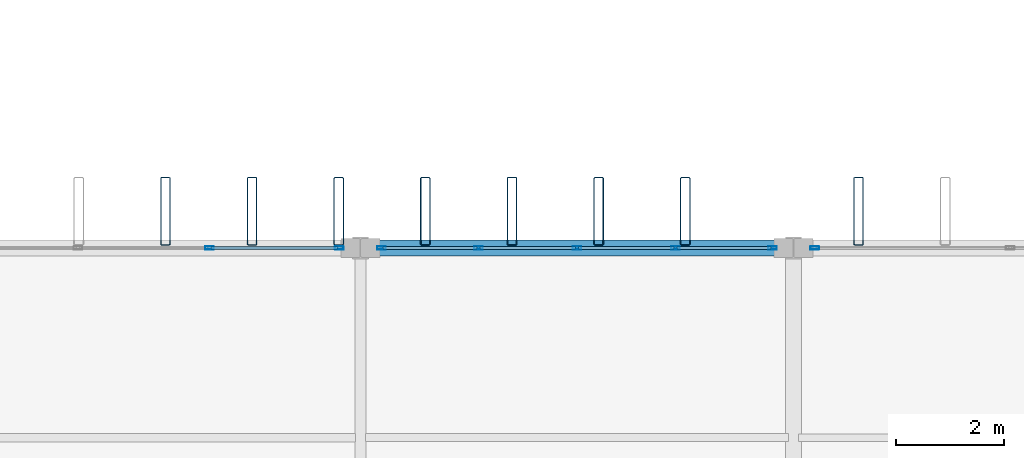
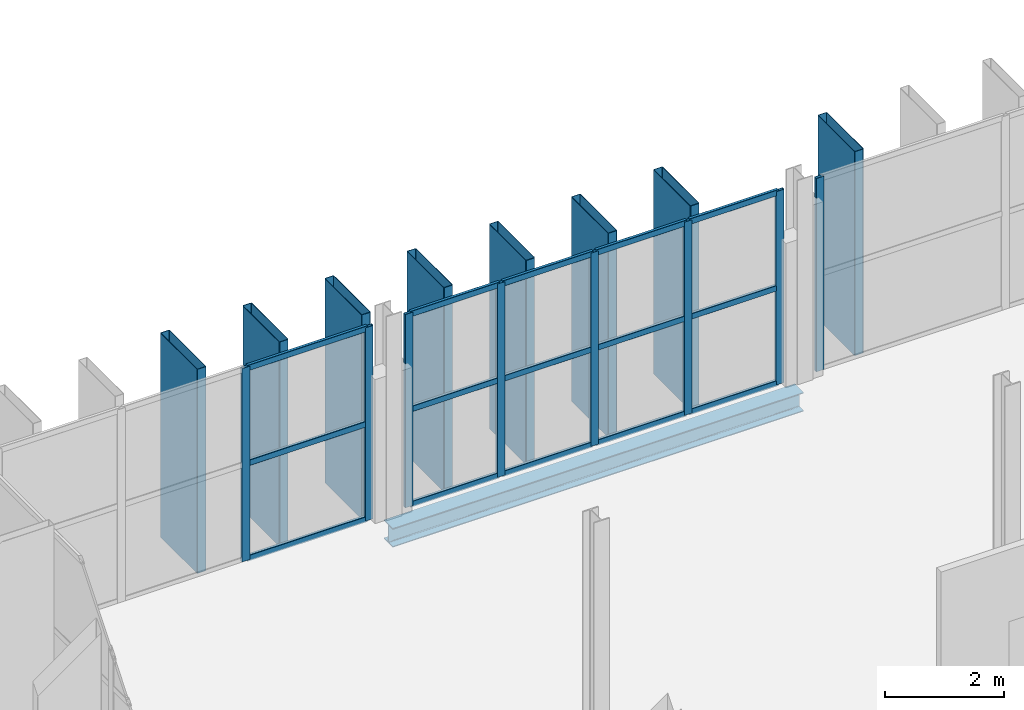
# One storey, part 41 of 101: 31 members, 1 beam, 3 elements without a shape of their own.
"""IFC4 building model written with IfcOpenShell, lengths in metres."""

import ifcopenshell
import ifcopenshell.guid

model = None  # the IFC model being written
_history = None  # IfcOwnerHistory: only IFC2X3 demands one
_inside = {}  # id of a spatial element -> (the spatial element, [elements in it])
_under = {}  # id of a project, library or spatial element -> (it, [spatial elements below it])
_declared = {}  # id of a project -> (the project, [libraries it declares])
_typed = {}  # id of a type object -> (the type object, [elements of that type])
_made_of = {}  # id of a material, layer set ... -> (it, [elements and type objects made of it])


def new_model(schema):
    """Start an empty IFC model of exactly this schema.

    Asked for "IFC4X3", IfcOpenShell would pick the latest addendum, in which some entities
    have other attributes; the version numbers below select the first issue.
    IFC2X3 requires an IfcOwnerHistory on every rooted entity: one is made here for all.
    """
    global model, _history
    if schema == "IFC4X3":
        model = ifcopenshell.file(schema_version=(4, 3, 0, 0))
    else:
        model = ifcopenshell.file(schema=schema)
    _inside.clear()
    _under.clear()
    _declared.clear()
    _typed.clear()
    _made_of.clear()
    _history = None
    if model.schema == "IFC2X3":
        org = make("IfcOrganization", Name="unknown")
        user = make(
            "IfcPersonAndOrganization",
            ThePerson=make("IfcPerson", FamilyName="unknown"),
            TheOrganization=org,
        )
        app = make(
            "IfcApplication",
            ApplicationDeveloper=org,
            Version="unknown",
            ApplicationFullName="unknown",
            ApplicationIdentifier="unknown",
        )
        _history = make(
            "IfcOwnerHistory",
            OwningUser=user,
            OwningApplication=app,
            ChangeAction="ADDED",
            CreationDate=0,
        )
    return model


def make(cls, **values):
    """One entity of the class cls with the attributes given. An attribute that is None is left unset."""
    return model.create_entity(
        cls, **{name: value for name, value in values.items() if value is not None}
    )


def rooted(cls, **values):
    """An entity with a GlobalId (a new one), such as an element, a storey or a relation."""
    return make(cls, GlobalId=ifcopenshell.guid.new(), OwnerHistory=_history, **values)


def si_unit(unit_type, name, prefix=None):
    """IfcSIUnit, for example si_unit("LENGTHUNIT", "METRE", prefix="MILLI")."""
    return make("IfcSIUnit", UnitType=unit_type, Prefix=prefix, Name=name)


def assignment(units):
    """IfcUnitAssignment: the units of a project."""
    return None if units is None else make("IfcUnitAssignment", Units=units)


def point(xyz):
    """IfcCartesianPoint."""
    return None if xyz is None else make("IfcCartesianPoint", Coordinates=xyz)


def direction(xyz):
    """IfcDirection."""
    return None if xyz is None else make("IfcDirection", DirectionRatios=xyz)


def frame(location, z_axis=None, x_axis=None):
    """IfcAxis2Placement3D, a coordinate frame: its origin and axes. An axis left out is left unset."""
    return make(
        "IfcAxis2Placement3D",
        Location=point(location),
        Axis=direction(z_axis),
        RefDirection=direction(x_axis),
    )


def frame_2d(location, x_axis=None):
    """IfcAxis2Placement2D, a coordinate frame in the plane: its origin and x axis."""
    return make(
        "IfcAxis2Placement2D", Location=point(location), RefDirection=direction(x_axis)
    )


def origin():
    """The frame at (0, 0, 0) with its axes left unset."""
    return frame((0.0, 0.0, 0.0))


def origin_2d():
    """The frame at (0, 0) in the plane with its x axis left unset."""
    return frame_2d((0.0, 0.0))


def place(relative_to, where):
    """IfcLocalPlacement: puts the frame where relative to a parent placement (None: the world)."""
    return make(
        "IfcLocalPlacement", PlacementRelTo=relative_to, RelativePlacement=where
    )


def context(
    kind, dimensions, precision=None, world=None, true_north=None, identifier=None
):
    """IfcGeometricRepresentationContext, for example the 3D "Model" context."""
    return make(
        "IfcGeometricRepresentationContext",
        ContextIdentifier=identifier,
        ContextType=kind,
        CoordinateSpaceDimension=dimensions,
        Precision=precision,
        WorldCoordinateSystem=world,
        TrueNorth=true_north,
    )


def subcontext(parent, identifier, kind, view, scale=None):
    """IfcGeometricRepresentationSubContext, for example "Body" below "Model"."""
    return make(
        "IfcGeometricRepresentationSubContext",
        ContextIdentifier=identifier,
        ContextType=kind,
        ParentContext=parent,
        TargetScale=scale,
        TargetView=view,
    )


def project(units=None, contexts=None):
    """IfcProject with its units and contexts."""
    return rooted(
        "IfcProject",
        Name="project",
        RepresentationContexts=contexts,
        UnitsInContext=assignment(units),
    )


def spatial(cls, under=None, at=None, **own):
    """A site, building, storey or space (cls), placed at a placement, below another one or the project."""
    s = rooted(cls, ObjectPlacement=at, **own)
    if under is not None:
        _under.setdefault(under.id(), (under, []))[1].append(s)
    return s


def profile(cls, at=None, kind="AREA", **sizes):
    """A parametric profile (cls). Its sizes go by their IFC names, for example OverallWidth=200.0."""
    return make(cls, ProfileType=kind, Position=at, **sizes)


def hollow_rectangle(**sizes):
    """IfcRectangleHollowProfileDef."""
    return profile("IfcRectangleHollowProfileDef", **sizes)


def i_section(**sizes):
    """IfcIShapeProfileDef."""
    return profile("IfcIShapeProfileDef", **sizes)


def extrude(swept, where, along, depth):
    """IfcExtrudedAreaSolid: the profile swept, set in the frame where, extruded along a direction by depth."""
    return make(
        "IfcExtrudedAreaSolid",
        SweptArea=swept,
        Position=where,
        ExtrudedDirection=direction(along),
        Depth=depth,
    )


def shape(context_of_items, identifier, shape_type, items):
    """IfcShapeRepresentation: the items that make up one representation, for example the "Body"."""
    return make(
        "IfcShapeRepresentation",
        ContextOfItems=context_of_items,
        RepresentationIdentifier=identifier,
        RepresentationType=shape_type,
        Items=items,
    )


def material(Name=None, Category=None):
    """IfcMaterial."""
    return make("IfcMaterial", Name=Name, Category=Category)


def layer(
    of_material, thickness, ventilated=None, Name=None, Category=None, Priority=None
):
    """IfcMaterialLayer: one layer of a wall or slab, of a material (None: an air gap)."""
    return make(
        "IfcMaterialLayer",
        Material=of_material,
        LayerThickness=thickness,
        IsVentilated=ventilated,
        Name=Name,
        Category=Category,
        Priority=Priority,
    )


def layer_set(layers, Name=None):
    """IfcMaterialLayerSet."""
    return make("IfcMaterialLayerSet", MaterialLayers=layers, LayerSetName=Name)


def material_profile(
    of_material, cross_section, Name=None, Category=None, Priority=None
):
    """IfcMaterialProfile: a cross section and its material."""
    return make(
        "IfcMaterialProfile",
        Name=Name,
        Material=of_material,
        Profile=cross_section,
        Priority=Priority,
        Category=Category,
    )


def profile_set(profiles, Name=None, composite=None):
    """IfcMaterialProfileSet."""
    return make(
        "IfcMaterialProfileSet",
        Name=Name,
        MaterialProfiles=profiles,
        CompositeProfile=composite,
    )


def made_of(thing, what):
    """Note that an element or type object is made of a material, layer set ...; save() writes the relation."""
    if what is not None:
        _made_of.setdefault(what.id(), (what, []))[1].append(thing)
    return thing


def type_object(cls, material=None, **own):
    """A type object (cls), such as IfcWallType, which elements share."""
    return made_of(rooted(cls, **own), material)


def element(
    cls,
    number,
    at=None,
    inside=None,
    cuts=None,
    type_object=None,
    material=None,
    context=None,
    identifier="Body",
    shape_type=None,
    held_by="IfcProductDefinitionShape",
    body=None,
    shapes=None,
    **own,
):
    """One element of the class cls, such as IfcWall. Its Tag is "e" and its number.

    at: its placement. inside: the storey or other place that contains it. cuts: it is an
    opening in that element (IfcRelVoidsElement). A single representation is given by context,
    identifier, shape_type and body (its items); several are given by shapes. held_by: the class
    of the entity that holds the representations. save() writes the other relations.
    """
    e = rooted(cls, Tag="e%d" % number, ObjectPlacement=at, **own)
    if body is not None:
        shapes = [shape(context, identifier, shape_type, body)]
    if shapes is not None:
        e.Representation = make(held_by, Representations=shapes)
    if inside is not None:
        _inside.setdefault(inside.id(), (inside, []))[1].append(e)
    if cuts is not None:
        rooted(
            "IfcRelVoidsElement", RelatingBuildingElement=cuts, RelatedOpeningElement=e
        )
    if type_object is not None:
        _typed.setdefault(type_object.id(), (type_object, []))[1].append(e)
    return made_of(e, material)


def aggregate(whole, parts):
    """IfcRelAggregates: a whole, such as a stair, and the parts it consists of."""
    return rooted("IfcRelAggregates", RelatingObject=whole, RelatedObjects=parts)


def save(model, path):
    """Write the relations noted so far, then the file.

    IfcRelAggregates (storeys below a building ...), IfcRelContainedInSpatialStructure (elements
    in a storey), IfcRelDefinesByType, IfcRelAssociatesMaterial and IfcRelDeclares: one each for
    every whole, place, type object, material and project.
    """
    for whole, parts in _under.values():
        aggregate(whole, parts)
    for where, things in _inside.values():
        rooted(
            "IfcRelContainedInSpatialStructure",
            RelatedElements=things,
            RelatingStructure=where,
        )
    for kind, things in _typed.values():
        rooted("IfcRelDefinesByType", RelatedObjects=things, RelatingType=kind)
    for what, things in _made_of.values():
        rooted("IfcRelAssociatesMaterial", RelatedObjects=things, RelatingMaterial=what)
    for by, libraries in _declared.values():
        rooted("IfcRelDeclares", RelatingContext=by, RelatedDefinitions=libraries)
    model.write(path)


model = new_model("IFC4")

# Units and contexts
model_context = context("Model", 3, precision=1e-05, world=origin(), true_north=direction((0.0, 1.0)))
body_context = subcontext(model_context, "Body", "Model", "MODEL_VIEW")
ifc_project = project(units=[si_unit("LENGTHUNIT", "METRE"), si_unit("AREAUNIT", "SQUARE_METRE"), si_unit("VOLUMEUNIT", "CUBIC_METRE"), si_unit("PLANEANGLEUNIT", "RADIAN"), si_unit("MASSUNIT", "GRAM", prefix="KILO")], contexts=[model_context])

# Site, building, storey
site_placement = place(None, origin())
site = spatial("IfcSite", under=ifc_project, at=site_placement, CompositionType="ELEMENT")
building_placement = place(site_placement, origin())
building = spatial("IfcBuilding", under=site, at=building_placement, Name="Vekula Escarpment Museum", CompositionType="ELEMENT")
storey_placement = place(building_placement, frame((0.0, 0.0, 18.0)))
storey = spatial("IfcBuildingStorey", under=building, at=storey_placement, Name="L04", CompositionType="ELEMENT", Elevation=18.0)

# Beam
ifc_material_1 = material(Name="Steel S355", Category="steel")
ifc_material_profile_1 = material_profile(ifc_material_1, i_section(OverallWidth=0.300048828125, OverallDepth=0.389892578125, WebThickness=0.010986328125, FlangeThickness=0.01904296875, FilletRadius=0.027099609375, at=origin_2d()), Name="HEA 400")
ifc_profile_set_1 = profile_set([ifc_material_profile_1], Name="Steel S355")
beam_type = type_object("IfcBeamType", Name="BM-SPAN-HEA400", PredefinedType="SPANDREL", material=ifc_profile_set_1)
beam_placement = place(storey_placement, frame((78.0, 90.39990234375, -0.43505859375), z_axis=(1.0, 0.0, 0.0), x_axis=(0.0, 1.0, 0.0)))
element("IfcBeam", 1, at=beam_placement, inside=storey, type_object=beam_type, Name="Beam X L04 1783", PredefinedType="SPANDREL", context=body_context, shape_type="SweptSolid", body=[
    extrude(i_section(OverallWidth=0.300048828125, OverallDepth=0.389892578125, WebThickness=0.010986328125, FlangeThickness=0.01904296875, FilletRadius=0.027099609375, at=origin_2d()), origin(), (0.0, 0.0, 1.0), 8.0),
])

# Curtain wall, member
ifc_material_2 = material(Name="Aluminium thermally broken framing", Category="aluminium")
ifc_layer_1 = layer(ifc_material_2, 0.179931640625)
ifc_layer_set_1 = layer_set([ifc_layer_1], Name="Aluminium thermally broken framing")
curtain_wall_type_1 = type_object("IfcCurtainWallType", Name="CW-SYS-08", PredefinedType="NOTDEFINED", material=ifc_layer_set_1)
curtain_wall_1_placement = place(storey_placement, origin())
curtain_wall_1 = element("IfcCurtainWall", 2, at=curtain_wall_1_placement, inside=storey, type_object=curtain_wall_type_1, Name="Curtain Wall CW-L04-158", PredefinedType="NOTDEFINED")
ifc_material_3 = material(Name="Aluminium anodized mullion", Category="aluminium")
ifc_material_profile_2 = material_profile(ifc_material_3, hollow_rectangle(XDim=0.06005859375, YDim=0.159912109375, WallThickness=0.00390625, InnerFilletRadius=0.00390625, OuterFilletRadius=0.008056640625, at=origin_2d()), Name="ALU 160x60x4")
ifc_profile_set_2 = profile_set([ifc_material_profile_2], Name="Aluminium anodized mullion")
member_type_1 = type_object("IfcMemberType", Name="CW-MUL-160", PredefinedType="MULLION", material=ifc_profile_set_2)
member_1_placement = place(storey_placement, frame((86.389892578125, 90.39990234375, 0.0), z_axis=(0.0, 0.0, 1.0), x_axis=(0.0, -1.0, 0.0)))
member_1 = element("IfcMember", 3, at=member_1_placement, type_object=member_type_1, Name="CW-08 mullion 3", PredefinedType="MULLION", context=body_context, shape_type="SweptSolid", body=[
    extrude(hollow_rectangle(XDim=0.06005859375, YDim=0.159912109375, WallThickness=0.00390625, InnerFilletRadius=0.00390625, OuterFilletRadius=0.008056640625, at=origin_2d()), origin(), (0.0, 0.0, 1.0), 3.97998046875),
])
aggregate(curtain_wall_1, [member_1])

# Curtain wall, members
ifc_material_4 = material(Name="Aluminium thermally broken framing", Category="aluminium")
ifc_layer_2 = layer(ifc_material_4, 0.14990234375)
ifc_layer_set_2 = layer_set([ifc_layer_2], Name="Aluminium thermally broken framing")
curtain_wall_type_2 = type_object("IfcCurtainWallType", Name="CW-SYS-09", PredefinedType="NOTDEFINED", material=ifc_layer_set_2)
curtain_wall_2_placement = place(storey_placement, origin())
curtain_wall_2 = element("IfcCurtainWall", 4, at=curtain_wall_2_placement, inside=storey, type_object=curtain_wall_type_2, Name="Curtain Wall CW-L04-159", PredefinedType="NOTDEFINED")
member_2_placement = place(storey_placement, frame((85.610107421875, 90.39990234375, 0.0), z_axis=(0.0, 0.0, 1.0), x_axis=(0.0, -1.0, 0.0)))
member_2 = element("IfcMember", 5, at=member_2_placement, type_object=member_type_1, Name="CW-09 mullion 1", PredefinedType="MULLION", context=body_context, shape_type="SweptSolid", body=[
    extrude(hollow_rectangle(XDim=0.06005859375, YDim=0.159912109375, WallThickness=0.00390625, InnerFilletRadius=0.00390625, OuterFilletRadius=0.008056640625, at=origin_2d()), origin(), (0.0, 0.0, 1.0), 3.97998046875),
])
member_3_placement = place(storey_placement, frame((83.820068359375, 90.39990234375, 0.0), z_axis=(0.0, 0.0, 1.0), x_axis=(0.0, -1.0, 0.0)))
member_3 = element("IfcMember", 6, at=member_3_placement, type_object=member_type_1, Name="CW-09 mullion 2", PredefinedType="MULLION", context=body_context, shape_type="SweptSolid", body=[
    extrude(hollow_rectangle(XDim=0.06005859375, YDim=0.159912109375, WallThickness=0.00390625, InnerFilletRadius=0.00390625, OuterFilletRadius=0.008056640625, at=origin_2d()), origin(), (0.0, 0.0, 1.0), 3.97998046875),
])
member_4_placement = place(storey_placement, frame((82.0, 90.39990234375, 0.0), z_axis=(0.0, 0.0, 1.0), x_axis=(0.0, -1.0, 0.0)))
member_4 = element("IfcMember", 7, at=member_4_placement, type_object=member_type_1, Name="CW-09 mullion 3", PredefinedType="MULLION", context=body_context, shape_type="SweptSolid", body=[
    extrude(hollow_rectangle(XDim=0.06005859375, YDim=0.159912109375, WallThickness=0.00390625, InnerFilletRadius=0.00390625, OuterFilletRadius=0.008056640625, at=origin_2d()), origin(), (0.0, 0.0, 1.0), 3.97998046875),
])
member_5_placement = place(storey_placement, frame((80.179931640625, 90.39990234375, 0.0), z_axis=(0.0, 0.0, 1.0), x_axis=(0.0, -1.0, 0.0)))
member_5 = element("IfcMember", 8, at=member_5_placement, type_object=member_type_1, Name="CW-09 mullion 4", PredefinedType="MULLION", context=body_context, shape_type="SweptSolid", body=[
    extrude(hollow_rectangle(XDim=0.06005859375, YDim=0.159912109375, WallThickness=0.00390625, InnerFilletRadius=0.00390625, OuterFilletRadius=0.008056640625, at=origin_2d()), origin(), (0.0, 0.0, 1.0), 3.97998046875),
])
member_6_placement = place(storey_placement, frame((78.389892578125, 90.39990234375, 0.0), z_axis=(0.0, 0.0, 1.0), x_axis=(0.0, -1.0, 0.0)))
member_6 = element("IfcMember", 9, at=member_6_placement, type_object=member_type_1, Name="CW-09 mullion 5", PredefinedType="MULLION", context=body_context, shape_type="SweptSolid", body=[
    extrude(hollow_rectangle(XDim=0.06005859375, YDim=0.159912109375, WallThickness=0.00390625, InnerFilletRadius=0.00390625, OuterFilletRadius=0.008056640625, at=origin_2d()), origin(), (0.0, 0.0, 1.0), 3.97998046875),
])

ifc_material_5 = material(Name="Aluminium thermally broken framing", Category="aluminium")
ifc_layer_3 = layer(ifc_material_5, 0.169921875)
ifc_layer_set_3 = layer_set([ifc_layer_3], Name="Aluminium thermally broken framing")
curtain_wall_type_3 = type_object("IfcCurtainWallType", Name="CW-SYS-10", PredefinedType="NOTDEFINED", material=ifc_layer_set_3)
curtain_wall_3_placement = place(storey_placement, origin())
curtain_wall_3 = element("IfcCurtainWall", 10, at=curtain_wall_3_placement, inside=storey, type_object=curtain_wall_type_3, Name="Curtain Wall CW-L04-160", PredefinedType="NOTDEFINED")
member_7_placement = place(storey_placement, frame((77.610107421875, 90.39990234375, 0.0), z_axis=(0.0, 0.0, 1.0), x_axis=(0.0, -1.0, 0.0)))
member_7 = element("IfcMember", 11, at=member_7_placement, type_object=member_type_1, Name="CW-10 mullion 1", PredefinedType="MULLION", context=body_context, shape_type="SweptSolid", body=[
    extrude(hollow_rectangle(XDim=0.06005859375, YDim=0.159912109375, WallThickness=0.00390625, InnerFilletRadius=0.00390625, OuterFilletRadius=0.008056640625, at=origin_2d()), origin(), (0.0, 0.0, 1.0), 3.97998046875),
])
member_8_placement = place(storey_placement, frame((75.21337890625, 90.39990234375, 0.0), z_axis=(0.0, 0.0, 1.0), x_axis=(0.0, -1.0, 0.0)))
member_8 = element("IfcMember", 12, at=member_8_placement, type_object=member_type_1, Name="CW-10 mullion 2", PredefinedType="MULLION", context=body_context, shape_type="SweptSolid", body=[
    extrude(hollow_rectangle(XDim=0.06005859375, YDim=0.159912109375, WallThickness=0.00390625, InnerFilletRadius=0.00390625, OuterFilletRadius=0.008056640625, at=origin_2d()), origin(), (0.0, 0.0, 1.0), 3.97998046875),
])

# Member
ifc_material_6 = material(Name="Aluminium anodized transom", Category="aluminium")
ifc_material_profile_3 = material_profile(ifc_material_6, hollow_rectangle(XDim=0.06005859375, YDim=0.1201171875, WallThickness=0.00390625, InnerFilletRadius=0.00390625, OuterFilletRadius=0.008056640625, at=origin_2d()), Name="ALU 120x60x4")
ifc_profile_set_3 = profile_set([ifc_material_profile_3], Name="Aluminium anodized transom")
member_type_2 = type_object("IfcMemberType", Name="CW-TRN-120", PredefinedType="USERDEFINED", material=ifc_profile_set_3)
member_9_placement = place(storey_placement, frame((85.580078125, 90.39990234375, 0.030029296875), z_axis=(-1.0, 0.0, 0.0), x_axis=(0.0, -1.0, 0.0)))
member_9 = element("IfcMember", 13, at=member_9_placement, type_object=member_type_2, Name="CW-09 transom 1.1", ObjectType="TRANSOM", PredefinedType="USERDEFINED", context=body_context, shape_type="SweptSolid", body=[
    extrude(hollow_rectangle(XDim=0.06005859375, YDim=0.1201171875, WallThickness=0.00390625, InnerFilletRadius=0.00390625, OuterFilletRadius=0.008056640625, at=origin_2d()), origin(), (0.0, 0.0, 1.0), 1.72998046875),
])

member_10_placement = place(storey_placement, frame((85.580078125, 90.39990234375, 1.989990234375), z_axis=(-1.0, 0.0, 0.0), x_axis=(0.0, -1.0, 0.0)))
member_10 = element("IfcMember", 14, at=member_10_placement, type_object=member_type_2, Name="CW-09 transom 1.2", ObjectType="TRANSOM", PredefinedType="USERDEFINED", context=body_context, shape_type="SweptSolid", body=[
    extrude(hollow_rectangle(XDim=0.06005859375, YDim=0.1201171875, WallThickness=0.00390625, InnerFilletRadius=0.00390625, OuterFilletRadius=0.008056640625, at=origin_2d()), origin(), (0.0, 0.0, 1.0), 1.72998046875),
])

member_11_placement = place(storey_placement, frame((85.580078125, 90.39990234375, 3.949951171875), z_axis=(-1.0, 0.0, 0.0), x_axis=(0.0, -1.0, 0.0)))
member_11 = element("IfcMember", 15, at=member_11_placement, type_object=member_type_2, Name="CW-09 transom 1.3", ObjectType="TRANSOM", PredefinedType="USERDEFINED", context=body_context, shape_type="SweptSolid", body=[
    extrude(hollow_rectangle(XDim=0.06005859375, YDim=0.1201171875, WallThickness=0.00390625, InnerFilletRadius=0.00390625, OuterFilletRadius=0.008056640625, at=origin_2d()), origin(), (0.0, 0.0, 1.0), 1.72998046875),
])

member_12_placement = place(storey_placement, frame((83.7900390625, 90.39990234375, 0.030029296875), z_axis=(-1.0, 0.0, 0.0), x_axis=(0.0, -1.0, 0.0)))
member_12 = element("IfcMember", 16, at=member_12_placement, type_object=member_type_2, Name="CW-09 transom 2.1", ObjectType="TRANSOM", PredefinedType="USERDEFINED", context=body_context, shape_type="SweptSolid", body=[
    extrude(hollow_rectangle(XDim=0.06005859375, YDim=0.1201171875, WallThickness=0.00390625, InnerFilletRadius=0.00390625, OuterFilletRadius=0.008056640625, at=origin_2d()), origin(), (0.0, 0.0, 1.0), 1.760009765625),
])

member_13_placement = place(storey_placement, frame((83.7900390625, 90.39990234375, 1.989990234375), z_axis=(-1.0, 0.0, 0.0), x_axis=(0.0, -1.0, 0.0)))
member_13 = element("IfcMember", 17, at=member_13_placement, type_object=member_type_2, Name="CW-09 transom 2.2", ObjectType="TRANSOM", PredefinedType="USERDEFINED", context=body_context, shape_type="SweptSolid", body=[
    extrude(hollow_rectangle(XDim=0.06005859375, YDim=0.1201171875, WallThickness=0.00390625, InnerFilletRadius=0.00390625, OuterFilletRadius=0.008056640625, at=origin_2d()), origin(), (0.0, 0.0, 1.0), 1.760009765625),
])

member_14_placement = place(storey_placement, frame((83.7900390625, 90.39990234375, 3.949951171875), z_axis=(-1.0, 0.0, 0.0), x_axis=(0.0, -1.0, 0.0)))
member_14 = element("IfcMember", 18, at=member_14_placement, type_object=member_type_2, Name="CW-09 transom 2.3", ObjectType="TRANSOM", PredefinedType="USERDEFINED", context=body_context, shape_type="SweptSolid", body=[
    extrude(hollow_rectangle(XDim=0.06005859375, YDim=0.1201171875, WallThickness=0.00390625, InnerFilletRadius=0.00390625, OuterFilletRadius=0.008056640625, at=origin_2d()), origin(), (0.0, 0.0, 1.0), 1.760009765625),
])

member_15_placement = place(storey_placement, frame((81.969970703125, 90.39990234375, 0.030029296875), z_axis=(-1.0, 0.0, 0.0), x_axis=(0.0, -1.0, 0.0)))
member_15 = element("IfcMember", 19, at=member_15_placement, type_object=member_type_2, Name="CW-09 transom 3.1", ObjectType="TRANSOM", PredefinedType="USERDEFINED", context=body_context, shape_type="SweptSolid", body=[
    extrude(hollow_rectangle(XDim=0.06005859375, YDim=0.1201171875, WallThickness=0.00390625, InnerFilletRadius=0.00390625, OuterFilletRadius=0.008056640625, at=origin_2d()), origin(), (0.0, 0.0, 1.0), 1.760009765625),
])

member_16_placement = place(storey_placement, frame((81.969970703125, 90.39990234375, 1.989990234375), z_axis=(-1.0, 0.0, 0.0), x_axis=(0.0, -1.0, 0.0)))
member_16 = element("IfcMember", 20, at=member_16_placement, type_object=member_type_2, Name="CW-09 transom 3.2", ObjectType="TRANSOM", PredefinedType="USERDEFINED", context=body_context, shape_type="SweptSolid", body=[
    extrude(hollow_rectangle(XDim=0.06005859375, YDim=0.1201171875, WallThickness=0.00390625, InnerFilletRadius=0.00390625, OuterFilletRadius=0.008056640625, at=origin_2d()), origin(), (0.0, 0.0, 1.0), 1.760009765625),
])

member_17_placement = place(storey_placement, frame((81.969970703125, 90.39990234375, 3.949951171875), z_axis=(-1.0, 0.0, 0.0), x_axis=(0.0, -1.0, 0.0)))
member_17 = element("IfcMember", 21, at=member_17_placement, type_object=member_type_2, Name="CW-09 transom 3.3", ObjectType="TRANSOM", PredefinedType="USERDEFINED", context=body_context, shape_type="SweptSolid", body=[
    extrude(hollow_rectangle(XDim=0.06005859375, YDim=0.1201171875, WallThickness=0.00390625, InnerFilletRadius=0.00390625, OuterFilletRadius=0.008056640625, at=origin_2d()), origin(), (0.0, 0.0, 1.0), 1.760009765625),
])

member_18_placement = place(storey_placement, frame((80.14990234375, 90.39990234375, 0.030029296875), z_axis=(-1.0, 0.0, 0.0), x_axis=(0.0, -1.0, 0.0)))
member_18 = element("IfcMember", 22, at=member_18_placement, type_object=member_type_2, Name="CW-09 transom 4.1", ObjectType="TRANSOM", PredefinedType="USERDEFINED", context=body_context, shape_type="SweptSolid", body=[
    extrude(hollow_rectangle(XDim=0.06005859375, YDim=0.1201171875, WallThickness=0.00390625, InnerFilletRadius=0.00390625, OuterFilletRadius=0.008056640625, at=origin_2d()), origin(), (0.0, 0.0, 1.0), 1.72998046875),
])

member_19_placement = place(storey_placement, frame((80.14990234375, 90.39990234375, 1.989990234375), z_axis=(-1.0, 0.0, 0.0), x_axis=(0.0, -1.0, 0.0)))
member_19 = element("IfcMember", 23, at=member_19_placement, type_object=member_type_2, Name="CW-09 transom 4.2", ObjectType="TRANSOM", PredefinedType="USERDEFINED", context=body_context, shape_type="SweptSolid", body=[
    extrude(hollow_rectangle(XDim=0.06005859375, YDim=0.1201171875, WallThickness=0.00390625, InnerFilletRadius=0.00390625, OuterFilletRadius=0.008056640625, at=origin_2d()), origin(), (0.0, 0.0, 1.0), 1.72998046875),
])

member_20_placement = place(storey_placement, frame((80.14990234375, 90.39990234375, 3.949951171875), z_axis=(-1.0, 0.0, 0.0), x_axis=(0.0, -1.0, 0.0)))
member_20 = element("IfcMember", 24, at=member_20_placement, type_object=member_type_2, Name="CW-09 transom 4.3", ObjectType="TRANSOM", PredefinedType="USERDEFINED", context=body_context, shape_type="SweptSolid", body=[
    extrude(hollow_rectangle(XDim=0.06005859375, YDim=0.1201171875, WallThickness=0.00390625, InnerFilletRadius=0.00390625, OuterFilletRadius=0.008056640625, at=origin_2d()), origin(), (0.0, 0.0, 1.0), 1.72998046875),
])

aggregate(curtain_wall_2, [member_2, member_3, member_4, member_5, member_6, member_9, member_10, member_11, member_12, member_13, member_14, member_15, member_16, member_17, member_18, member_19, member_20])

member_21_placement = place(storey_placement, frame((77.580078125, 90.39990234375, 0.030029296875), z_axis=(-1.0, 0.0, 0.0), x_axis=(0.0, -1.0, 0.0)))
member_21 = element("IfcMember", 25, at=member_21_placement, type_object=member_type_2, Name="CW-10 transom 1.1", ObjectType="TRANSOM", PredefinedType="USERDEFINED", context=body_context, shape_type="SweptSolid", body=[
    extrude(hollow_rectangle(XDim=0.06005859375, YDim=0.1201171875, WallThickness=0.00390625, InnerFilletRadius=0.00390625, OuterFilletRadius=0.008056640625, at=origin_2d()), origin(), (0.0, 0.0, 1.0), 2.336669921875),
])

member_22_placement = place(storey_placement, frame((77.580078125, 90.39990234375, 1.989990234375), z_axis=(-1.0, 0.0, 0.0), x_axis=(0.0, -1.0, 0.0)))
member_22 = element("IfcMember", 26, at=member_22_placement, type_object=member_type_2, Name="CW-10 transom 1.2", ObjectType="TRANSOM", PredefinedType="USERDEFINED", context=body_context, shape_type="SweptSolid", body=[
    extrude(hollow_rectangle(XDim=0.06005859375, YDim=0.1201171875, WallThickness=0.00390625, InnerFilletRadius=0.00390625, OuterFilletRadius=0.008056640625, at=origin_2d()), origin(), (0.0, 0.0, 1.0), 2.336669921875),
])

member_23_placement = place(storey_placement, frame((77.580078125, 90.39990234375, 3.949951171875), z_axis=(-1.0, 0.0, 0.0), x_axis=(0.0, -1.0, 0.0)))
member_23 = element("IfcMember", 27, at=member_23_placement, type_object=member_type_2, Name="CW-10 transom 1.3", ObjectType="TRANSOM", PredefinedType="USERDEFINED", context=body_context, shape_type="SweptSolid", body=[
    extrude(hollow_rectangle(XDim=0.06005859375, YDim=0.1201171875, WallThickness=0.00390625, InnerFilletRadius=0.00390625, OuterFilletRadius=0.008056640625, at=origin_2d()), origin(), (0.0, 0.0, 1.0), 2.336669921875),
])

aggregate(curtain_wall_3, [member_7, member_8, member_21, member_22, member_23])

# Members
ifc_material_7 = material(Name="Steel S355 weathered bronze solar fin", Category="steel")
ifc_material_profile_4 = material_profile(ifc_material_7, hollow_rectangle(XDim=0.179931640625, YDim=1.25, WallThickness=0.010009765625, InnerFilletRadius=0.010009765625, OuterFilletRadius=0.02001953125, at=origin_2d()), Name="RHS 1250x180x10")
ifc_profile_set_4 = profile_set([ifc_material_profile_4], Name="Steel S355 weathered bronze solar fin")
member_type_3 = type_object("IfcMemberType", Name="MB-SOLAR-FIN", PredefinedType="USERDEFINED", material=ifc_profile_set_4)
for number, where, z_axis, x_axis, name in (
    (28, (74.39990234375, 91.080078125, 0.0), (0.0, 0.0, 1.0), (1.0, 0.0, 0.0), "Great Hall Vertical Solar Fin 0144"),
    (29, (76.0, 91.080078125, 0.0), (0.0, 0.0, 1.0), (1.0, 0.0, 0.0), "Great Hall Vertical Solar Fin 0149"),
    (30, (77.60009765625, 91.080078125, 0.0), (0.0, 0.0, 1.0), (1.0, 0.0, 0.0), "Great Hall Vertical Solar Fin 0154"),
    (31, (79.199951171875, 91.080078125, 0.0), (0.0, 0.0, 1.0), (1.0, 0.0, 0.0), "Great Hall Vertical Solar Fin 0159"),
    (32, (80.800048828125, 91.080078125, 0.0), (0.0, 0.0, 1.0), (1.0, 0.0, 0.0), "Great Hall Vertical Solar Fin 0164"),
    (33, (82.39990234375, 91.080078125, 0.0), (0.0, 0.0, 1.0), (1.0, 0.0, 0.0), "Great Hall Vertical Solar Fin 0169"),
    (34, (84.0, 91.080078125, 0.0), (0.0, 0.0, 1.0), (1.0, 0.0, 0.0), "Great Hall Vertical Solar Fin 0174"),
    (35, (87.199951171875, 91.080078125, 0.0), (0.0, 0.0, 1.0), (1.0, 0.0, 0.0), "Great Hall Vertical Solar Fin 0179"),
):
    element("IfcMember", number, at=place(storey_placement, frame(where, z_axis=z_axis, x_axis=x_axis)), inside=storey, type_object=member_type_3, Name=name, ObjectType="SOLAR FIN", PredefinedType="USERDEFINED", context=body_context, shape_type="SweptSolid", body=[
        extrude(hollow_rectangle(XDim=0.179931640625, YDim=1.25, WallThickness=0.010009765625, InnerFilletRadius=0.010009765625, OuterFilletRadius=0.02001953125, at=origin_2d()), origin(), (0.0, 0.0, 1.0), 4.199951171875),
    ])

save(model, "model.ifc")
